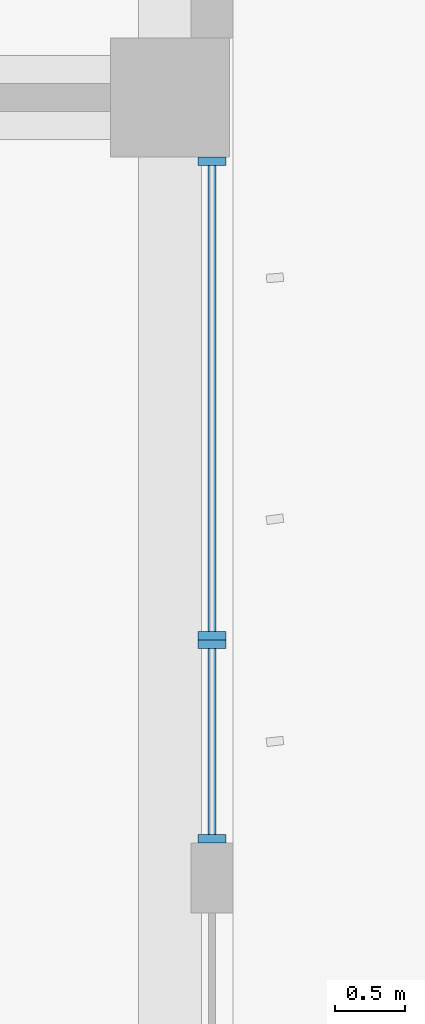
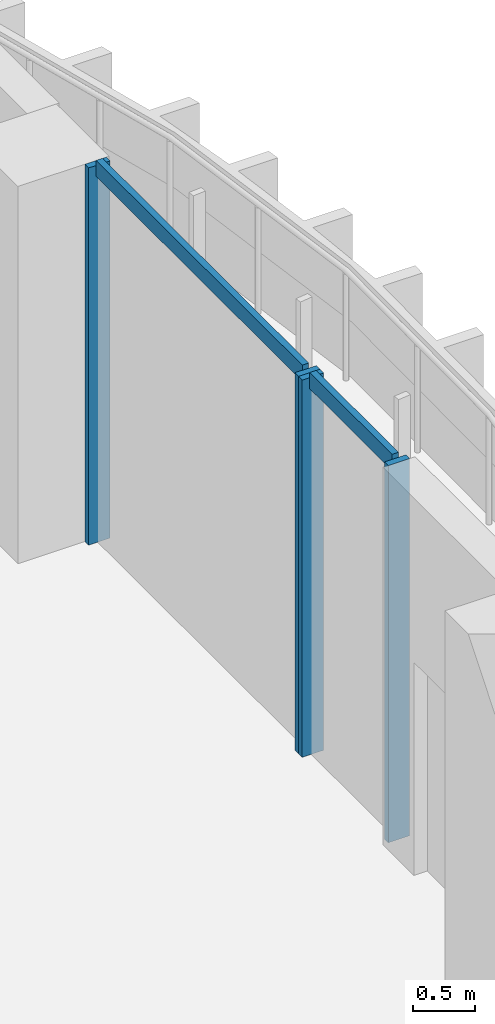
# One storey, part 6 of 26: 6 members, 2 elements without a shape of their own.
"""IFC4 building model written with IfcOpenShell, lengths in metres."""

from ifc_helpers import new_model, si_unit, direction, frame, origin, origin_2d, place, context, subcontext, project, spatial, rectangle, extrude, source, transform, mapped, material, material_profile, profile_set, type_object, element, aggregate, save


model = new_model("IFC4")

# Units and contexts
model_context = context("Model", 3, precision=1e-05, world=origin(), true_north=direction((0.0, 1.0)))
body_context = subcontext(model_context, "Body", "Model", "MODEL_VIEW")
ifc_project = project(units=[si_unit("LENGTHUNIT", "METRE"), si_unit("AREAUNIT", "SQUARE_METRE"), si_unit("VOLUMEUNIT", "CUBIC_METRE"), si_unit("PLANEANGLEUNIT", "RADIAN"), si_unit("MASSUNIT", "GRAM", prefix="KILO")], contexts=[model_context])

# Site, building, storey
site_placement = place(None, origin())
site = spatial("IfcSite", under=ifc_project, at=site_placement, CompositionType="ELEMENT")
building_placement = place(site_placement, origin())
building = spatial("IfcBuilding", under=site, at=building_placement, Name="Kilnfold Tower and Market Hall", CompositionType="ELEMENT")
storey_placement = place(building_placement, frame((0.0, 0.0, 108.60009765625)))
storey = spatial("IfcBuildingStorey", under=building, at=storey_placement, Name="L25", CompositionType="ELEMENT", Elevation=108.60009765625)

# Curtain wall, members
ifc_material_1 = material(Name="Aluminium and double glazing", Category="aluminium")
curtain_wall_type = type_object("IfcCurtainWallType", Name="CW OF2 VALLEY GLAZING", PredefinedType="NOTDEFINED", material=ifc_material_1)
curtain_wall_1_placement = place(storey_placement, origin())
curtain_wall_1 = element("IfcCurtainWall", 1, at=curtain_wall_1_placement, inside=storey, type_object=curtain_wall_type, Name="Curtain wall CW2 L25 E", PredefinedType="NOTDEFINED")
ifc_material_2 = material(Name="Aluminium", Category="aluminium")
ifc_material_profile_1 = material_profile(ifc_material_2, rectangle(XDim=0.06005859375, YDim=0.199951171875, at=origin_2d()), Name="MULLION 60x200")
ifc_profile_set_1 = profile_set([ifc_material_profile_1], Name="Aluminium")
member_type_1 = type_object("IfcMemberType", Name="MULLION 60X200", PredefinedType="MULLION", material=ifc_profile_set_1)
shared_shape_1 = source(origin(), body_context, "Body", "SweptSolid", [
    extrude(rectangle(XDim=0.06005859375, YDim=0.199951171875, at=origin_2d()), origin(), (0.0, 0.0, 1.0), 3.719970703125),
])
member_1_placement = place(storey_placement, frame((32.85009765625, 2.705078125, 0.0), z_axis=(0.0, 0.0, 1.0), x_axis=(0.0, 1.0, 0.0)))
member_1 = element("IfcMember", 2, at=member_1_placement, type_object=member_type_1, Name="CW2 mullion 1", PredefinedType="MULLION", context=body_context, shape_type="MappedRepresentation", body=[
    mapped(shared_shape_1, transform((0.0, 0.0, 0.0))),
])
member_2_placement = place(storey_placement, frame((32.85009765625, 4.094970703125, 0.0), z_axis=(0.0, 0.0, 1.0), x_axis=(0.0, 1.0, 0.0)))
member_2 = element("IfcMember", 3, at=member_2_placement, type_object=member_type_1, Name="CW2 mullion 2", PredefinedType="MULLION", context=body_context, shape_type="MappedRepresentation", body=[
    mapped(shared_shape_1, transform((0.0, 0.0, 0.0))),
])

curtain_wall_2_placement = place(storey_placement, origin())
curtain_wall_2 = element("IfcCurtainWall", 4, at=curtain_wall_2_placement, inside=storey, type_object=curtain_wall_type, Name="Curtain wall CW2 L25 E", PredefinedType="NOTDEFINED")
member_3_placement = place(storey_placement, frame((32.85009765625, 4.155029296875, 0.0), z_axis=(0.0, 0.0, 1.0), x_axis=(0.0, 1.0, 0.0)))
member_3 = element("IfcMember", 5, at=member_3_placement, type_object=member_type_1, Name="CW2 mullion 1", PredefinedType="MULLION", context=body_context, shape_type="MappedRepresentation", body=[
    mapped(shared_shape_1, transform((0.0, 0.0, 0.0))),
])
member_4_placement = place(storey_placement, frame((32.85009765625, 7.544921875, 0.0), z_axis=(0.0, 0.0, 1.0), x_axis=(0.0, 1.0, 0.0)))
member_4 = element("IfcMember", 6, at=member_4_placement, type_object=member_type_1, Name="CW2 mullion 2", PredefinedType="MULLION", context=body_context, shape_type="MappedRepresentation", body=[
    mapped(shared_shape_1, transform((0.0, 0.0, 0.0))),
])
ifc_material_3 = material(Name="Aluminium", Category="aluminium")
ifc_material_profile_2 = material_profile(ifc_material_3, rectangle(XDim=0.06005859375, YDim=0.159912109375, at=origin_2d()), Name="TRANSOM 60x160")
ifc_profile_set_2 = profile_set([ifc_material_profile_2], Name="Aluminium")
member_type_2 = type_object("IfcMemberType", Name="TRANSOM 60X160", PredefinedType="USERDEFINED", material=ifc_profile_set_2)
shared_shape_2 = source(origin(), body_context, "Body", "SweptSolid", [
    extrude(rectangle(XDim=0.06005859375, YDim=0.159912109375, at=origin_2d()), origin(), (0.0, 0.0, 1.0), 3.329833984375),
])
member_5_placement = place(storey_placement, frame((32.85009765625, 4.18505859375, 3.68994140625), z_axis=(0.0, 1.0, 0.0), x_axis=(-1.0, 0.0, 0.0)))
member_5 = element("IfcMember", 7, at=member_5_placement, type_object=member_type_2, Name="CW2 transom 1.2", ObjectType="TRANSOM", PredefinedType="USERDEFINED", context=body_context, shape_type="MappedRepresentation", body=[
    mapped(shared_shape_2, transform((0.0, 0.0, 0.0))),
])
aggregate(curtain_wall_2, [member_3, member_4, member_5])

# Member
shared_shape_3 = source(origin(), body_context, "Body", "SweptSolid", [
    extrude(rectangle(XDim=0.06005859375, YDim=0.159912109375, at=origin_2d()), origin(), (0.0, 0.0, 1.0), 1.329833984375),
])
member_6_placement = place(storey_placement, frame((32.85009765625, 2.735107421875, 3.68994140625), z_axis=(0.0, 1.0, 0.0), x_axis=(-1.0, 0.0, 0.0)))
member_6 = element("IfcMember", 8, at=member_6_placement, type_object=member_type_2, Name="CW2 transom 1.2", ObjectType="TRANSOM", PredefinedType="USERDEFINED", context=body_context, shape_type="MappedRepresentation", body=[
    mapped(shared_shape_3, transform((0.0, 0.0, 0.0))),
])

aggregate(curtain_wall_1, [member_1, member_2, member_6])

save(model, "model.ifc")
